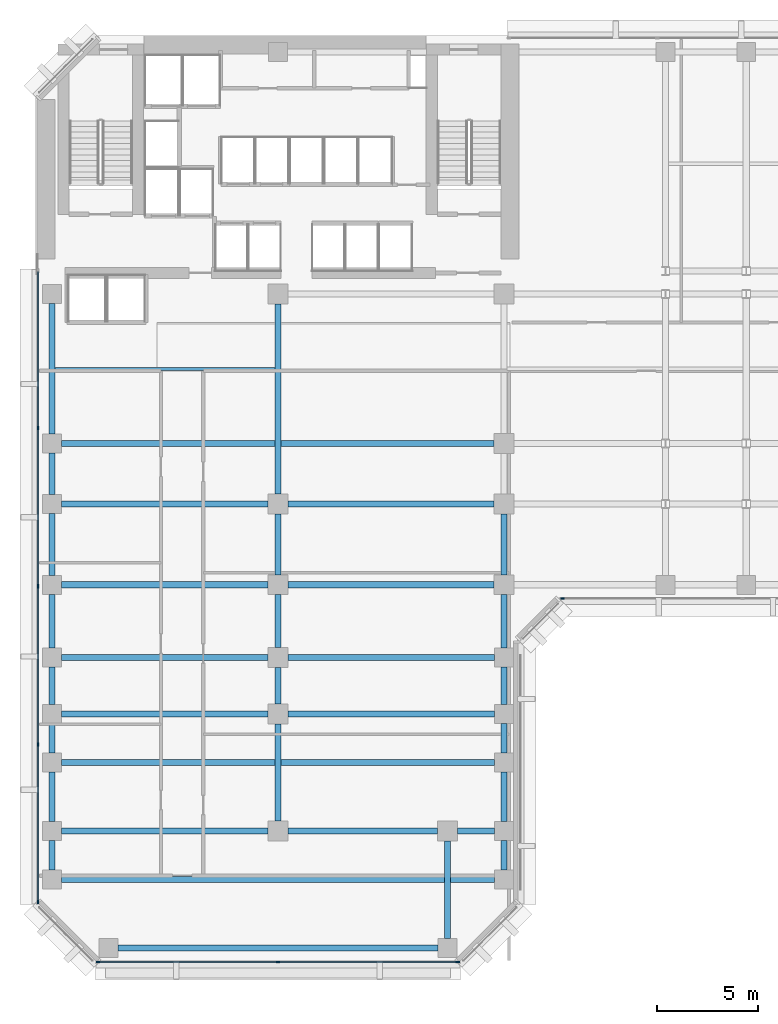
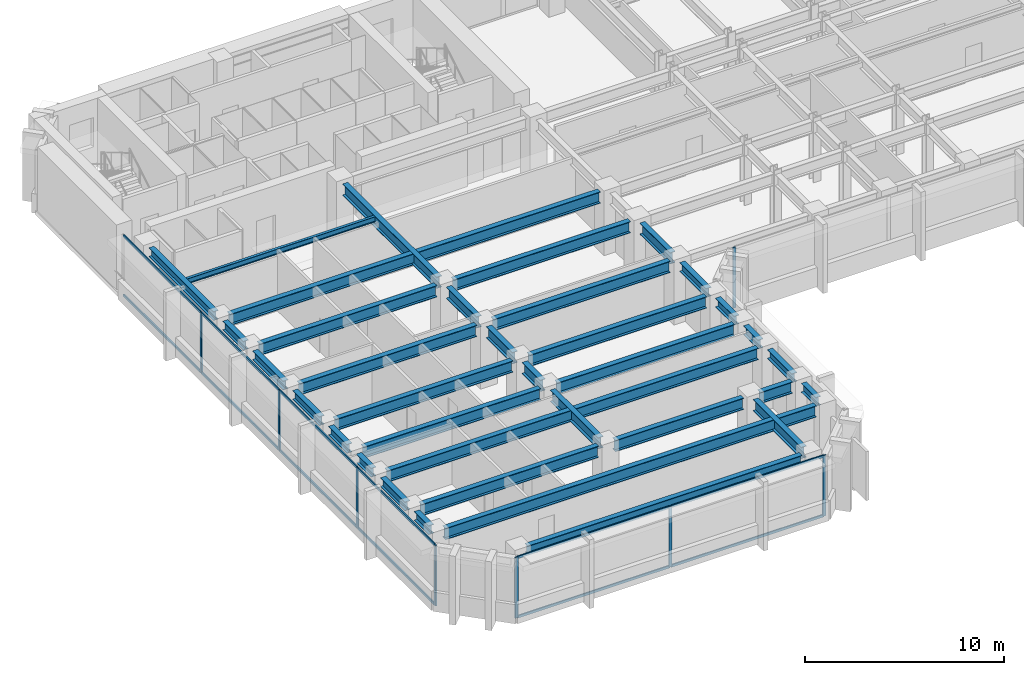
# One storey, part 2 of 13: 36 beams, 20 members, 3 elements without a shape of their own.
"""IFC4 building model written with IfcOpenShell, lengths in metres."""

from ifc_helpers import new_model, si_unit, direction, frame, origin, origin_2d, place, context, subcontext, project, spatial, rectangle, i_section, extrude, material, layer, layer_set, material_profile, profile_set, type_object, element, aggregate, save


model = new_model("IFC4")

# Units and contexts
model_context = context("Model", 3, precision=1e-05, world=origin(), true_north=direction((0.0, 1.0)))
body_context = subcontext(model_context, "Body", "Model", "MODEL_VIEW")
ifc_project = project(units=[si_unit("LENGTHUNIT", "METRE"), si_unit("AREAUNIT", "SQUARE_METRE"), si_unit("VOLUMEUNIT", "CUBIC_METRE"), si_unit("PLANEANGLEUNIT", "RADIAN"), si_unit("MASSUNIT", "GRAM", prefix="KILO")], contexts=[model_context])

# Site, building, storey
site_placement = place(None, origin())
site = spatial("IfcSite", under=ifc_project, at=site_placement, CompositionType="ELEMENT")
building_placement = place(site_placement, origin())
building = spatial("IfcBuilding", under=site, at=building_placement, Name="Kefirva Bronze Tower", CompositionType="ELEMENT")
storey_placement = place(building_placement, frame((0.0, 0.0, 98.669921875)))
storey = spatial("IfcBuildingStorey", under=building, at=storey_placement, Name="L23", CompositionType="ELEMENT", Elevation=98.669921875)

# Curtain wall, members
ifc_material_1 = material(Name="Bronze anodised aluminium", Category="aluminium")
ifc_layer = layer(ifc_material_1, 0.199951171875, Name="Bronze anodised aluminium")
ifc_layer_set = layer_set([ifc_layer], Name="Bronze anodised aluminium")
curtain_wall_type = type_object("IfcCurtainWallType", Name="Unitised Bronze Ribbon Curtain Wall Zone 1", PredefinedType="USERDEFINED", material=ifc_layer_set)
curtain_wall_1_placement = place(storey_placement, origin())
curtain_wall_1 = element("IfcCurtainWall", 1, at=curtain_wall_1_placement, inside=storey, type_object=curtain_wall_type, Name="L23 Curtain Wall 1", ObjectType="UNITISED CURTAIN WALL", PredefinedType="USERDEFINED")
ifc_material_profile_1 = material_profile(ifc_material_1, rectangle(XDim=0.074951171875, YDim=0.179931640625, at=origin_2d()), Name="ALU 75x180")
ifc_profile_set_1 = profile_set([ifc_material_profile_1], Name="Bronze anodised aluminium")
member_type_1 = type_object("IfcMemberType", Name="Bronze Mullion 75x180", PredefinedType="MULLION", material=ifc_profile_set_1)
member_1_placement = place(storey_placement, frame((3.092529296875, 0.1201171875, 0.0), z_axis=(0.0, 0.0, 1.0), x_axis=(0.0, 1.0, 0.0)))
member_1 = element("IfcMember", 2, at=member_1_placement, type_object=member_type_1, Name="CW-01 mullion 1", PredefinedType="MULLION", context=body_context, shape_type="SweptSolid", body=[
    extrude(rectangle(XDim=0.074951171875, YDim=0.179931640625, at=origin_2d()), origin(), (0.0, 0.0, 1.0), 3.7099609375),
])
member_2_placement = place(storey_placement, frame((12.0, 0.1201171875, 0.0), z_axis=(0.0, 0.0, 1.0), x_axis=(0.0, 1.0, 0.0)))
member_2 = element("IfcMember", 3, at=member_2_placement, type_object=member_type_1, Name="CW-01 mullion 2", PredefinedType="MULLION", context=body_context, shape_type="SweptSolid", body=[
    extrude(rectangle(XDim=0.074951171875, YDim=0.179931640625, at=origin_2d()), origin(), (0.0, 0.0, 1.0), 3.7099609375),
])
member_3_placement = place(storey_placement, frame((20.907470703125, 0.1201171875, 0.0), z_axis=(0.0, 0.0, 1.0), x_axis=(0.0, 1.0, 0.0)))
member_3 = element("IfcMember", 4, at=member_3_placement, type_object=member_type_1, Name="CW-01 mullion 3", PredefinedType="MULLION", context=body_context, shape_type="SweptSolid", body=[
    extrude(rectangle(XDim=0.074951171875, YDim=0.179931640625, at=origin_2d()), origin(), (0.0, 0.0, 1.0), 3.7099609375),
])

# Curtain wall, member
curtain_wall_2_placement = place(storey_placement, origin())
curtain_wall_2 = element("IfcCurtainWall", 5, at=curtain_wall_2_placement, inside=storey, type_object=curtain_wall_type, Name="L23 Curtain Wall 2", ObjectType="UNITISED CURTAIN WALL", PredefinedType="USERDEFINED")
member_4_placement = place(storey_placement, frame((26.092529296875, 18.1201171875, 0.0), z_axis=(0.0, 0.0, 1.0), x_axis=(0.0, 1.0, 0.0)))
member_4 = element("IfcMember", 6, at=member_4_placement, type_object=member_type_1, Name="CW-01 mullion 1", PredefinedType="MULLION", context=body_context, shape_type="SweptSolid", body=[
    extrude(rectangle(XDim=0.074951171875, YDim=0.179931640625, at=origin_2d()), origin(), (0.0, 0.0, 1.0), 3.7099609375),
])
aggregate(curtain_wall_2, [member_4])

# Curtain wall, members
curtain_wall_3_placement = place(storey_placement, origin())
curtain_wall_3 = element("IfcCurtainWall", 7, at=curtain_wall_3_placement, inside=storey, type_object=curtain_wall_type, Name="L23 Curtain Wall 5", ObjectType="UNITISED CURTAIN WALL", PredefinedType="USERDEFINED")
member_5_placement = place(storey_placement, frame((0.1201171875, 26.56005859375, 0.0), z_axis=(0.0, 0.0, 1.0), x_axis=(1.0, 0.0, 0.0)))
member_5 = element("IfcMember", 8, at=member_5_placement, type_object=member_type_1, Name="CW-01 mullion 2", PredefinedType="MULLION", context=body_context, shape_type="SweptSolid", body=[
    extrude(rectangle(XDim=0.074951171875, YDim=0.179931640625, at=origin_2d()), origin(), (0.0, 0.0, 1.0), 3.7099609375),
])
member_6_placement = place(storey_placement, frame((0.1201171875, 18.72509765625, 0.0), z_axis=(0.0, 0.0, 1.0), x_axis=(1.0, 0.0, 0.0)))
member_6 = element("IfcMember", 9, at=member_6_placement, type_object=member_type_1, Name="CW-01 mullion 3", PredefinedType="MULLION", context=body_context, shape_type="SweptSolid", body=[
    extrude(rectangle(XDim=0.074951171875, YDim=0.179931640625, at=origin_2d()), origin(), (0.0, 0.0, 1.0), 3.7099609375),
])
member_7_placement = place(storey_placement, frame((0.1201171875, 10.889892578125, 0.0), z_axis=(0.0, 0.0, 1.0), x_axis=(1.0, 0.0, 0.0)))
member_7 = element("IfcMember", 10, at=member_7_placement, type_object=member_type_1, Name="CW-01 mullion 4", PredefinedType="MULLION", context=body_context, shape_type="SweptSolid", body=[
    extrude(rectangle(XDim=0.074951171875, YDim=0.179931640625, at=origin_2d()), origin(), (0.0, 0.0, 1.0), 3.7099609375),
])
member_8_placement = place(storey_placement, frame((0.1201171875, 3.092529296875, 0.0), z_axis=(0.0, 0.0, 1.0), x_axis=(1.0, 0.0, 0.0)))
member_8 = element("IfcMember", 11, at=member_8_placement, type_object=member_type_1, Name="CW-01 mullion 5", PredefinedType="MULLION", context=body_context, shape_type="SweptSolid", body=[
    extrude(rectangle(XDim=0.074951171875, YDim=0.179931640625, at=origin_2d()), origin(), (0.0, 0.0, 1.0), 3.7099609375),
])

# Member
ifc_material_profile_2 = material_profile(ifc_material_1, rectangle(XDim=0.074951171875, YDim=0.14990234375, at=origin_2d()), Name="ALU 75x150")
ifc_profile_set_2 = profile_set([ifc_material_profile_2], Name="Bronze anodised aluminium")
member_type_2 = type_object("IfcMemberType", Name="Bronze Transom 75x150", PredefinedType="USERDEFINED", material=ifc_profile_set_2)
member_9_placement = place(storey_placement, frame((3.1298828125, 0.1201171875, 0.03759765625), z_axis=(1.0, 0.0, 0.0), x_axis=(0.0, 1.0, 0.0)))
member_9 = element("IfcMember", 12, at=member_9_placement, type_object=member_type_2, Name="CW-01 transom 1.1", ObjectType="TRANSOM", PredefinedType="USERDEFINED", context=body_context, shape_type="SweptSolid", body=[
    extrude(rectangle(XDim=0.074951171875, YDim=0.14990234375, at=origin_2d()), origin(), (0.0, 0.0, 1.0), 8.83251953125),
])

member_10_placement = place(storey_placement, frame((3.1298828125, 0.1201171875, 3.672607421875), z_axis=(1.0, 0.0, 0.0), x_axis=(0.0, 1.0, 0.0)))
member_10 = element("IfcMember", 13, at=member_10_placement, type_object=member_type_2, Name="CW-01 transom 1.2", ObjectType="TRANSOM", PredefinedType="USERDEFINED", context=body_context, shape_type="SweptSolid", body=[
    extrude(rectangle(XDim=0.074951171875, YDim=0.14990234375, at=origin_2d()), origin(), (0.0, 0.0, 1.0), 8.83251953125),
])

member_11_placement = place(storey_placement, frame((12.03759765625, 0.1201171875, 0.03759765625), z_axis=(1.0, 0.0, 0.0), x_axis=(0.0, 1.0, 0.0)))
member_11 = element("IfcMember", 14, at=member_11_placement, type_object=member_type_2, Name="CW-01 transom 2.1", ObjectType="TRANSOM", PredefinedType="USERDEFINED", context=body_context, shape_type="SweptSolid", body=[
    extrude(rectangle(XDim=0.074951171875, YDim=0.14990234375, at=origin_2d()), origin(), (0.0, 0.0, 1.0), 8.83251953125),
])

member_12_placement = place(storey_placement, frame((12.03759765625, 0.1201171875, 3.672607421875), z_axis=(1.0, 0.0, 0.0), x_axis=(0.0, 1.0, 0.0)))
member_12 = element("IfcMember", 15, at=member_12_placement, type_object=member_type_2, Name="CW-01 transom 2.2", ObjectType="TRANSOM", PredefinedType="USERDEFINED", context=body_context, shape_type="SweptSolid", body=[
    extrude(rectangle(XDim=0.074951171875, YDim=0.14990234375, at=origin_2d()), origin(), (0.0, 0.0, 1.0), 8.83251953125),
])

aggregate(curtain_wall_1, [member_1, member_2, member_3, member_9, member_10, member_11, member_12])

member_13_placement = place(storey_placement, frame((0.1201171875, 34.320068359375, 0.03759765625), z_axis=(0.0, -1.0, 0.0), x_axis=(1.0, 0.0, 0.0)))
member_13 = element("IfcMember", 16, at=member_13_placement, type_object=member_type_2, Name="CW-01 transom 1.1", ObjectType="TRANSOM", PredefinedType="USERDEFINED", context=body_context, shape_type="SweptSolid", body=[
    extrude(rectangle(XDim=0.074951171875, YDim=0.14990234375, at=origin_2d()), origin(), (0.0, 0.0, 1.0), 7.72265625),
])

member_14_placement = place(storey_placement, frame((0.1201171875, 34.320068359375, 3.672607421875), z_axis=(0.0, -1.0, 0.0), x_axis=(1.0, 0.0, 0.0)))
member_14 = element("IfcMember", 17, at=member_14_placement, type_object=member_type_2, Name="CW-01 transom 1.2", ObjectType="TRANSOM", PredefinedType="USERDEFINED", context=body_context, shape_type="SweptSolid", body=[
    extrude(rectangle(XDim=0.074951171875, YDim=0.14990234375, at=origin_2d()), origin(), (0.0, 0.0, 1.0), 7.72265625),
])

member_15_placement = place(storey_placement, frame((0.1201171875, 26.5224609375, 0.03759765625), z_axis=(0.0, -1.0, 0.0), x_axis=(1.0, 0.0, 0.0)))
member_15 = element("IfcMember", 18, at=member_15_placement, type_object=member_type_2, Name="CW-01 transom 2.1", ObjectType="TRANSOM", PredefinedType="USERDEFINED", context=body_context, shape_type="SweptSolid", body=[
    extrude(rectangle(XDim=0.074951171875, YDim=0.14990234375, at=origin_2d()), origin(), (0.0, 0.0, 1.0), 7.760009765625),
])

member_16_placement = place(storey_placement, frame((0.1201171875, 26.5224609375, 3.672607421875), z_axis=(0.0, -1.0, 0.0), x_axis=(1.0, 0.0, 0.0)))
member_16 = element("IfcMember", 19, at=member_16_placement, type_object=member_type_2, Name="CW-01 transom 2.2", ObjectType="TRANSOM", PredefinedType="USERDEFINED", context=body_context, shape_type="SweptSolid", body=[
    extrude(rectangle(XDim=0.074951171875, YDim=0.14990234375, at=origin_2d()), origin(), (0.0, 0.0, 1.0), 7.760009765625),
])

member_17_placement = place(storey_placement, frame((0.1201171875, 18.6875, 0.03759765625), z_axis=(0.0, -1.0, 0.0), x_axis=(1.0, 0.0, 0.0)))
member_17 = element("IfcMember", 20, at=member_17_placement, type_object=member_type_2, Name="CW-01 transom 3.1", ObjectType="TRANSOM", PredefinedType="USERDEFINED", context=body_context, shape_type="SweptSolid", body=[
    extrude(rectangle(XDim=0.074951171875, YDim=0.14990234375, at=origin_2d()), origin(), (0.0, 0.0, 1.0), 7.760009765625),
])

member_18_placement = place(storey_placement, frame((0.1201171875, 18.6875, 3.672607421875), z_axis=(0.0, -1.0, 0.0), x_axis=(1.0, 0.0, 0.0)))
member_18 = element("IfcMember", 21, at=member_18_placement, type_object=member_type_2, Name="CW-01 transom 3.2", ObjectType="TRANSOM", PredefinedType="USERDEFINED", context=body_context, shape_type="SweptSolid", body=[
    extrude(rectangle(XDim=0.074951171875, YDim=0.14990234375, at=origin_2d()), origin(), (0.0, 0.0, 1.0), 7.760009765625),
])

member_19_placement = place(storey_placement, frame((0.1201171875, 10.8525390625, 0.03759765625), z_axis=(0.0, -1.0, 0.0), x_axis=(1.0, 0.0, 0.0)))
member_19 = element("IfcMember", 22, at=member_19_placement, type_object=member_type_2, Name="CW-01 transom 4.1", ObjectType="TRANSOM", PredefinedType="USERDEFINED", context=body_context, shape_type="SweptSolid", body=[
    extrude(rectangle(XDim=0.074951171875, YDim=0.14990234375, at=origin_2d()), origin(), (0.0, 0.0, 1.0), 7.72265625),
])

member_20_placement = place(storey_placement, frame((0.1201171875, 10.8525390625, 3.672607421875), z_axis=(0.0, -1.0, 0.0), x_axis=(1.0, 0.0, 0.0)))
member_20 = element("IfcMember", 23, at=member_20_placement, type_object=member_type_2, Name="CW-01 transom 4.2", ObjectType="TRANSOM", PredefinedType="USERDEFINED", context=body_context, shape_type="SweptSolid", body=[
    extrude(rectangle(XDim=0.074951171875, YDim=0.14990234375, at=origin_2d()), origin(), (0.0, 0.0, 1.0), 7.72265625),
])

aggregate(curtain_wall_3, [member_5, member_6, member_7, member_8, member_13, member_14, member_15, member_16, member_17, member_18, member_19, member_20])

# Beams
ifc_material_2 = material(Name="Steel S355", Category="steel")
ifc_material_profile_3 = material_profile(ifc_material_2, i_section(OverallWidth=0.159912109375, OverallDepth=0.330078125, WebThickness=0.007568359375, FlangeThickness=0.011474609375, at=origin_2d()), Name="IPE 330")
ifc_profile_set_3 = profile_set([ifc_material_profile_3], Name="Steel S355")
beam_type_1 = type_object("IfcBeamType", Name="Steel Floor Joist IPE 330", PredefinedType="JOIST", material=ifc_profile_set_3)
beam_1_placement = place(storey_placement, frame((0.949951171875, 29.489990234375, 3.545166015625), z_axis=(1.0, 0.0, 0.0), x_axis=(0.0, 1.0, 0.0)))
element("IfcBeam", 24, at=beam_1_placement, inside=storey, type_object=beam_type_1, Name="L23 JST-L23-0-294", PredefinedType="JOIST", context=body_context, shape_type="SweptSolid", body=[
    extrude(i_section(OverallWidth=0.159912109375, OverallDepth=0.330078125, WebThickness=0.007568359375, FlangeThickness=0.011474609375, at=origin_2d()), origin(), (0.0, 0.0, 1.0), 10.900146484375),
])
ifc_material_profile_4 = material_profile(ifc_material_2, i_section(OverallWidth=0.300048828125, OverallDepth=0.699951171875, WebThickness=0.01708984375, FlangeThickness=0.031982421875, at=origin_2d()), Name="HEB 700")
ifc_profile_set_4 = profile_set([ifc_material_profile_4], Name="Steel S355")
beam_type_2 = type_object("IfcBeamType", Name="Steel Girder HEB 700", PredefinedType="USERDEFINED", material=ifc_profile_set_4)
beam_2_placement = place(storey_placement, frame((1.27001953125, 4.199951171875, 3.360107421875), z_axis=(1.0, 0.0, 0.0), x_axis=(0.0, 1.0, 0.0)))
element("IfcBeam", 25, at=beam_2_placement, inside=storey, type_object=beam_type_2, Name="L23 BM-L23-EW-0-42", ObjectType="GIRDER", PredefinedType="USERDEFINED", context=body_context, shape_type="SweptSolid", body=[
    extrude(i_section(OverallWidth=0.300048828125, OverallDepth=0.699951171875, WebThickness=0.01708984375, FlangeThickness=0.031982421875, at=origin_2d()), origin(), (0.0, 0.0, 1.0), 21.4599609375),
])
beam_3_placement = place(storey_placement, frame((1.27001953125, 6.60009765625, 3.360107421875), z_axis=(1.0, 0.0, 0.0), x_axis=(0.0, 1.0, 0.0)))
element("IfcBeam", 26, at=beam_3_placement, inside=storey, type_object=beam_type_2, Name="L23 BM-L23-EW-0-66", ObjectType="GIRDER", PredefinedType="USERDEFINED", context=body_context, shape_type="SweptSolid", body=[
    extrude(i_section(OverallWidth=0.300048828125, OverallDepth=0.699951171875, WebThickness=0.01708984375, FlangeThickness=0.031982421875, at=origin_2d()), origin(), (0.0, 0.0, 1.0), 10.239990234375),
])
beam_4_placement = place(storey_placement, frame((12.489990234375, 6.60009765625, 3.360107421875), z_axis=(1.0, 0.0, 0.0), x_axis=(0.0, 1.0, 0.0)))
element("IfcBeam", 27, at=beam_4_placement, inside=storey, type_object=beam_type_2, Name="L23 BM-L23-EW-12-66", ObjectType="GIRDER", PredefinedType="USERDEFINED", context=body_context, shape_type="SweptSolid", body=[
    extrude(i_section(OverallWidth=0.300048828125, OverallDepth=0.699951171875, WebThickness=0.01708984375, FlangeThickness=0.031982421875, at=origin_2d()), origin(), (0.0, 0.0, 1.0), 7.419921875),
])
beam_5_placement = place(storey_placement, frame((20.889892578125, 6.60009765625, 3.360107421875), z_axis=(1.0, 0.0, 0.0), x_axis=(0.0, 1.0, 0.0)))
element("IfcBeam", 28, at=beam_5_placement, inside=storey, type_object=beam_type_2, Name="L23 BM-L23-EW-20-66", ObjectType="GIRDER", PredefinedType="USERDEFINED", context=body_context, shape_type="SweptSolid", body=[
    extrude(i_section(OverallWidth=0.300048828125, OverallDepth=0.699951171875, WebThickness=0.01708984375, FlangeThickness=0.031982421875, at=origin_2d()), origin(), (0.0, 0.0, 1.0), 1.840087890625),
])
beam_6_placement = place(storey_placement, frame((1.27001953125, 10.0, 3.360107421875), z_axis=(1.0, 0.0, 0.0), x_axis=(0.0, 1.0, 0.0)))
element("IfcBeam", 29, at=beam_6_placement, inside=storey, type_object=beam_type_2, Name="L23 BM-L23-EW-0-100", ObjectType="GIRDER", PredefinedType="USERDEFINED", context=body_context, shape_type="SweptSolid", body=[
    extrude(i_section(OverallWidth=0.300048828125, OverallDepth=0.699951171875, WebThickness=0.01708984375, FlangeThickness=0.031982421875, at=origin_2d()), origin(), (0.0, 0.0, 1.0), 21.4599609375),
])
for number, where, z_axis, x_axis, name in (
    (30, (1.27001953125, 12.39990234375, 3.360107421875), (1.0, 0.0, 0.0), (0.0, 1.0, 0.0), "L23 BM-L23-EW-0-124"),
    (31, (12.489990234375, 12.39990234375, 3.360107421875), (1.0, 0.0, 0.0), (0.0, 1.0, 0.0), "L23 BM-L23-EW-12-124"),
    (32, (1.27001953125, 15.199951171875, 3.360107421875), (1.0, 0.0, 0.0), (0.0, 1.0, 0.0), "L23 BM-L23-EW-0-152"),
    (33, (12.489990234375, 15.199951171875, 3.360107421875), (1.0, 0.0, 0.0), (0.0, 1.0, 0.0), "L23 BM-L23-EW-12-152"),
    (34, (1.27001953125, 18.800048828125, 3.360107421875), (1.0, 0.0, 0.0), (0.0, 1.0, 0.0), "L23 BM-L23-EW-0-188"),
):
    element("IfcBeam", number, at=place(storey_placement, frame(where, z_axis=z_axis, x_axis=x_axis)), inside=storey, type_object=beam_type_2, Name=name, ObjectType="GIRDER", PredefinedType="USERDEFINED", context=body_context, shape_type="SweptSolid", body=[
        extrude(i_section(OverallWidth=0.300048828125, OverallDepth=0.699951171875, WebThickness=0.01708984375, FlangeThickness=0.031982421875, at=origin_2d()), origin(), (0.0, 0.0, 1.0), 10.239990234375),
    ])
beam_7_placement = place(storey_placement, frame((12.489990234375, 18.800048828125, 3.360107421875), z_axis=(1.0, 0.0, 0.0), x_axis=(0.0, 1.0, 0.0)))
element("IfcBeam", 35, at=beam_7_placement, inside=storey, type_object=beam_type_2, Name="L23 BM-L23-EW-12-188", ObjectType="GIRDER", PredefinedType="USERDEFINED", context=body_context, shape_type="SweptSolid", body=[
    extrude(i_section(OverallWidth=0.300048828125, OverallDepth=0.699951171875, WebThickness=0.01708984375, FlangeThickness=0.031982421875, at=origin_2d()), origin(), (0.0, 0.0, 1.0), 10.219970703125),
])
beam_8_placement = place(storey_placement, frame((1.27001953125, 22.800048828125, 3.360107421875), z_axis=(1.0, 0.0, 0.0), x_axis=(0.0, 1.0, 0.0)))
element("IfcBeam", 36, at=beam_8_placement, inside=storey, type_object=beam_type_2, Name="L23 BM-L23-EW-0-228", ObjectType="GIRDER", PredefinedType="USERDEFINED", context=body_context, shape_type="SweptSolid", body=[
    extrude(i_section(OverallWidth=0.300048828125, OverallDepth=0.699951171875, WebThickness=0.01708984375, FlangeThickness=0.031982421875, at=origin_2d()), origin(), (0.0, 0.0, 1.0), 10.239990234375),
])
beam_9_placement = place(storey_placement, frame((12.489990234375, 22.800048828125, 3.360107421875), z_axis=(1.0, 0.0, 0.0), x_axis=(0.0, 1.0, 0.0)))
element("IfcBeam", 37, at=beam_9_placement, inside=storey, type_object=beam_type_2, Name="L23 BM-L23-EW-12-228", ObjectType="GIRDER", PredefinedType="USERDEFINED", context=body_context, shape_type="SweptSolid", body=[
    extrude(i_section(OverallWidth=0.300048828125, OverallDepth=0.699951171875, WebThickness=0.01708984375, FlangeThickness=0.031982421875, at=origin_2d()), origin(), (0.0, 0.0, 1.0), 10.219970703125),
])
beam_10_placement = place(storey_placement, frame((1.27001953125, 25.800048828125, 3.360107421875), z_axis=(1.0, 0.0, 0.0), x_axis=(0.0, 1.0, 0.0)))
element("IfcBeam", 38, at=beam_10_placement, inside=storey, type_object=beam_type_2, Name="L23 BM-L23-EW-0-258", ObjectType="GIRDER", PredefinedType="USERDEFINED", context=body_context, shape_type="SweptSolid", body=[
    extrude(i_section(OverallWidth=0.300048828125, OverallDepth=0.699951171875, WebThickness=0.01708984375, FlangeThickness=0.031982421875, at=origin_2d()), origin(), (0.0, 0.0, 1.0), 21.43994140625),
])
beam_11_placement = place(storey_placement, frame((12.0, 7.090087890625, 3.360107421875), z_axis=(0.0, 1.0, 0.0), x_axis=(-1.0, 0.0, 0.0)))
element("IfcBeam", 39, at=beam_11_placement, inside=storey, type_object=beam_type_2, Name="L23 BM-L23-NS-120-6", ObjectType="GIRDER", PredefinedType="USERDEFINED", context=body_context, shape_type="SweptSolid", body=[
    extrude(i_section(OverallWidth=0.300048828125, OverallDepth=0.699951171875, WebThickness=0.01708984375, FlangeThickness=0.031982421875, at=origin_2d()), origin(), (0.0, 0.0, 1.0), 4.81982421875),
])
beam_12_placement = place(storey_placement, frame((12.0, 12.889892578125, 3.360107421875), z_axis=(0.0, 1.0, 0.0), x_axis=(-1.0, 0.0, 0.0)))
element("IfcBeam", 40, at=beam_12_placement, inside=storey, type_object=beam_type_2, Name="L23 BM-L23-NS-120-12", ObjectType="GIRDER", PredefinedType="USERDEFINED", context=body_context, shape_type="SweptSolid", body=[
    extrude(i_section(OverallWidth=0.300048828125, OverallDepth=0.699951171875, WebThickness=0.01708984375, FlangeThickness=0.031982421875, at=origin_2d()), origin(), (0.0, 0.0, 1.0), 1.820068359375),
])
beam_13_placement = place(storey_placement, frame((12.0, 15.68994140625, 3.360107421875), z_axis=(0.0, 1.0, 0.0), x_axis=(-1.0, 0.0, 0.0)))
element("IfcBeam", 41, at=beam_13_placement, inside=storey, type_object=beam_type_2, Name="L23 BM-L23-NS-120-15", ObjectType="GIRDER", PredefinedType="USERDEFINED", context=body_context, shape_type="SweptSolid", body=[
    extrude(i_section(OverallWidth=0.300048828125, OverallDepth=0.699951171875, WebThickness=0.01708984375, FlangeThickness=0.031982421875, at=origin_2d()), origin(), (0.0, 0.0, 1.0), 2.6201171875),
])
beam_14_placement = place(storey_placement, frame((12.0, 19.2900390625, 3.360107421875), z_axis=(0.0, 1.0, 0.0), x_axis=(-1.0, 0.0, 0.0)))
element("IfcBeam", 42, at=beam_14_placement, inside=storey, type_object=beam_type_2, Name="L23 BM-L23-NS-120-18", ObjectType="GIRDER", PredefinedType="USERDEFINED", context=body_context, shape_type="SweptSolid", body=[
    extrude(i_section(OverallWidth=0.300048828125, OverallDepth=0.699951171875, WebThickness=0.01708984375, FlangeThickness=0.031982421875, at=origin_2d()), origin(), (0.0, 0.0, 1.0), 3.02001953125),
])
beam_15_placement = place(storey_placement, frame((12.0, 23.2900390625, 3.360107421875), z_axis=(0.0, 1.0, 0.0), x_axis=(-1.0, 0.0, 0.0)))
element("IfcBeam", 43, at=beam_15_placement, inside=storey, type_object=beam_type_2, Name="L23 BM-L23-NS-120-22", ObjectType="GIRDER", PredefinedType="USERDEFINED", context=body_context, shape_type="SweptSolid", body=[
    extrude(i_section(OverallWidth=0.300048828125, OverallDepth=0.699951171875, WebThickness=0.01708984375, FlangeThickness=0.031982421875, at=origin_2d()), origin(), (0.0, 0.0, 1.0), 9.419921875),
])
beam_16_placement = place(storey_placement, frame((20.39990234375, 1.27001953125, 3.360107421875), z_axis=(0.0, 1.0, 0.0), x_axis=(-1.0, 0.0, 0.0)))
element("IfcBeam", 44, at=beam_16_placement, inside=storey, type_object=beam_type_2, Name="L23 BM-L23-NS-204-0", ObjectType="GIRDER", PredefinedType="USERDEFINED", context=body_context, shape_type="SweptSolid", body=[
    extrude(i_section(OverallWidth=0.300048828125, OverallDepth=0.699951171875, WebThickness=0.01708984375, FlangeThickness=0.031982421875, at=origin_2d()), origin(), (0.0, 0.0, 1.0), 4.840087890625),
])
beam_17_placement = place(storey_placement, frame((23.199951171875, 19.2900390625, 3.360107421875), z_axis=(0.0, 1.0, 0.0), x_axis=(-1.0, 0.0, 0.0)))
element("IfcBeam", 45, at=beam_17_placement, inside=storey, type_object=beam_type_2, Name="L23 BM-L23-NS-232-18", ObjectType="GIRDER", PredefinedType="USERDEFINED", context=body_context, shape_type="SweptSolid", body=[
    extrude(i_section(OverallWidth=0.300048828125, OverallDepth=0.699951171875, WebThickness=0.01708984375, FlangeThickness=0.031982421875, at=origin_2d()), origin(), (0.0, 0.0, 1.0), 3.02001953125),
])
ifc_material_profile_5 = material_profile(ifc_material_2, i_section(OverallWidth=0.300048828125, OverallDepth=0.550048828125, WebThickness=0.014892578125, FlangeThickness=0.029052734375, at=origin_2d()), Name="HEB 550")
ifc_profile_set_5 = profile_set([ifc_material_profile_5], Name="Steel S355")
beam_type_3 = type_object("IfcBeamType", Name="Steel Spandrel HEB 550 Ext", PredefinedType="SPANDREL", material=ifc_profile_set_5)
beam_18_placement = place(storey_placement, frame((4.070068359375, 0.800048828125, 3.43505859375), z_axis=(1.0, 0.0, 0.0), x_axis=(0.0, 1.0, 0.0)))
element("IfcBeam", 46, at=beam_18_placement, inside=storey, type_object=beam_type_3, Name="L23 BM-L23-EW-3-8", PredefinedType="SPANDREL", context=body_context, shape_type="SweptSolid", body=[
    extrude(i_section(OverallWidth=0.300048828125, OverallDepth=0.550048828125, WebThickness=0.014892578125, FlangeThickness=0.029052734375, at=origin_2d()), origin(), (0.0, 0.0, 1.0), 15.85986328125),
])
beam_19_placement = place(storey_placement, frame((0.800048828125, 4.669921875, 3.43505859375), z_axis=(0.0, 1.0, 0.0), x_axis=(-1.0, 0.0, 0.0)))
element("IfcBeam", 47, at=beam_19_placement, inside=storey, type_object=beam_type_3, Name="L23 BM-L23-NS-8-4", PredefinedType="SPANDREL", context=body_context, shape_type="SweptSolid", body=[
    extrude(i_section(OverallWidth=0.300048828125, OverallDepth=0.550048828125, WebThickness=0.014892578125, FlangeThickness=0.029052734375, at=origin_2d()), origin(), (0.0, 0.0, 1.0), 1.4599609375),
])
beam_20_placement = place(storey_placement, frame((0.800048828125, 7.070068359375, 3.43505859375), z_axis=(0.0, 1.0, 0.0), x_axis=(-1.0, 0.0, 0.0)))
element("IfcBeam", 48, at=beam_20_placement, inside=storey, type_object=beam_type_3, Name="L23 BM-L23-NS-8-6", PredefinedType="SPANDREL", context=body_context, shape_type="SweptSolid", body=[
    extrude(i_section(OverallWidth=0.300048828125, OverallDepth=0.550048828125, WebThickness=0.014892578125, FlangeThickness=0.029052734375, at=origin_2d()), origin(), (0.0, 0.0, 1.0), 2.4599609375),
])
beam_21_placement = place(storey_placement, frame((0.800048828125, 10.469970703125, 3.43505859375), z_axis=(0.0, 1.0, 0.0), x_axis=(-1.0, 0.0, 0.0)))
element("IfcBeam", 49, at=beam_21_placement, inside=storey, type_object=beam_type_3, Name="L23 BM-L23-NS-8-10", PredefinedType="SPANDREL", context=body_context, shape_type="SweptSolid", body=[
    extrude(i_section(OverallWidth=0.300048828125, OverallDepth=0.550048828125, WebThickness=0.014892578125, FlangeThickness=0.029052734375, at=origin_2d()), origin(), (0.0, 0.0, 1.0), 1.4599609375),
])
beam_22_placement = place(storey_placement, frame((0.800048828125, 12.8701171875, 3.43505859375), z_axis=(0.0, 1.0, 0.0), x_axis=(-1.0, 0.0, 0.0)))
element("IfcBeam", 50, at=beam_22_placement, inside=storey, type_object=beam_type_3, Name="L23 BM-L23-NS-8-12", PredefinedType="SPANDREL", context=body_context, shape_type="SweptSolid", body=[
    extrude(i_section(OverallWidth=0.300048828125, OverallDepth=0.550048828125, WebThickness=0.014892578125, FlangeThickness=0.029052734375, at=origin_2d()), origin(), (0.0, 0.0, 1.0), 1.85986328125),
])
beam_23_placement = place(storey_placement, frame((0.800048828125, 15.669921875, 3.43505859375), z_axis=(0.0, 1.0, 0.0), x_axis=(-1.0, 0.0, 0.0)))
element("IfcBeam", 51, at=beam_23_placement, inside=storey, type_object=beam_type_3, Name="L23 BM-L23-NS-8-15", PredefinedType="SPANDREL", context=body_context, shape_type="SweptSolid", body=[
    extrude(i_section(OverallWidth=0.300048828125, OverallDepth=0.550048828125, WebThickness=0.014892578125, FlangeThickness=0.029052734375, at=origin_2d()), origin(), (0.0, 0.0, 1.0), 2.66015625),
])
beam_24_placement = place(storey_placement, frame((0.800048828125, 19.27001953125, 3.43505859375), z_axis=(0.0, 1.0, 0.0), x_axis=(-1.0, 0.0, 0.0)))
element("IfcBeam", 52, at=beam_24_placement, inside=storey, type_object=beam_type_3, Name="L23 BM-L23-NS-8-18", PredefinedType="SPANDREL", context=body_context, shape_type="SweptSolid", body=[
    extrude(i_section(OverallWidth=0.300048828125, OverallDepth=0.550048828125, WebThickness=0.014892578125, FlangeThickness=0.029052734375, at=origin_2d()), origin(), (0.0, 0.0, 1.0), 3.06005859375),
])
beam_25_placement = place(storey_placement, frame((0.800048828125, 23.27001953125, 3.43505859375), z_axis=(0.0, 1.0, 0.0), x_axis=(-1.0, 0.0, 0.0)))
element("IfcBeam", 53, at=beam_25_placement, inside=storey, type_object=beam_type_3, Name="L23 BM-L23-NS-8-22", PredefinedType="SPANDREL", context=body_context, shape_type="SweptSolid", body=[
    extrude(i_section(OverallWidth=0.300048828125, OverallDepth=0.550048828125, WebThickness=0.014892578125, FlangeThickness=0.029052734375, at=origin_2d()), origin(), (0.0, 0.0, 1.0), 2.06005859375),
])
beam_26_placement = place(storey_placement, frame((0.800048828125, 26.27001953125, 3.43505859375), z_axis=(0.0, 1.0, 0.0), x_axis=(-1.0, 0.0, 0.0)))
element("IfcBeam", 54, at=beam_26_placement, inside=storey, type_object=beam_type_3, Name="L23 BM-L23-NS-8-25", PredefinedType="SPANDREL", context=body_context, shape_type="SweptSolid", body=[
    extrude(i_section(OverallWidth=0.300048828125, OverallDepth=0.550048828125, WebThickness=0.014892578125, FlangeThickness=0.029052734375, at=origin_2d()), origin(), (0.0, 0.0, 1.0), 6.4599609375),
])
beam_27_placement = place(storey_placement, frame((23.199951171875, 4.669921875, 3.43505859375), z_axis=(0.0, 1.0, 0.0), x_axis=(-1.0, 0.0, 0.0)))
element("IfcBeam", 55, at=beam_27_placement, inside=storey, type_object=beam_type_3, Name="L23 BM-L23-NS-232-4", PredefinedType="SPANDREL", context=body_context, shape_type="SweptSolid", body=[
    extrude(i_section(OverallWidth=0.300048828125, OverallDepth=0.550048828125, WebThickness=0.014892578125, FlangeThickness=0.029052734375, at=origin_2d()), origin(), (0.0, 0.0, 1.0), 1.4599609375),
])
beam_28_placement = place(storey_placement, frame((23.199951171875, 7.070068359375, 3.43505859375), z_axis=(0.0, 1.0, 0.0), x_axis=(-1.0, 0.0, 0.0)))
element("IfcBeam", 56, at=beam_28_placement, inside=storey, type_object=beam_type_3, Name="L23 BM-L23-NS-232-6", PredefinedType="SPANDREL", context=body_context, shape_type="SweptSolid", body=[
    extrude(i_section(OverallWidth=0.300048828125, OverallDepth=0.550048828125, WebThickness=0.014892578125, FlangeThickness=0.029052734375, at=origin_2d()), origin(), (0.0, 0.0, 1.0), 2.4599609375),
])
beam_29_placement = place(storey_placement, frame((23.199951171875, 10.469970703125, 3.43505859375), z_axis=(0.0, 1.0, 0.0), x_axis=(-1.0, 0.0, 0.0)))
element("IfcBeam", 57, at=beam_29_placement, inside=storey, type_object=beam_type_3, Name="L23 BM-L23-NS-232-10", PredefinedType="SPANDREL", context=body_context, shape_type="SweptSolid", body=[
    extrude(i_section(OverallWidth=0.300048828125, OverallDepth=0.550048828125, WebThickness=0.014892578125, FlangeThickness=0.029052734375, at=origin_2d()), origin(), (0.0, 0.0, 1.0), 1.4599609375),
])
beam_30_placement = place(storey_placement, frame((23.199951171875, 12.8701171875, 3.43505859375), z_axis=(0.0, 1.0, 0.0), x_axis=(-1.0, 0.0, 0.0)))
element("IfcBeam", 58, at=beam_30_placement, inside=storey, type_object=beam_type_3, Name="L23 BM-L23-NS-232-12", PredefinedType="SPANDREL", context=body_context, shape_type="SweptSolid", body=[
    extrude(i_section(OverallWidth=0.300048828125, OverallDepth=0.550048828125, WebThickness=0.014892578125, FlangeThickness=0.029052734375, at=origin_2d()), origin(), (0.0, 0.0, 1.0), 1.85986328125),
])
beam_31_placement = place(storey_placement, frame((23.199951171875, 15.669921875, 3.43505859375), z_axis=(0.0, 1.0, 0.0), x_axis=(-1.0, 0.0, 0.0)))
element("IfcBeam", 59, at=beam_31_placement, inside=storey, type_object=beam_type_3, Name="L23 BM-L23-NS-232-15", PredefinedType="SPANDREL", context=body_context, shape_type="SweptSolid", body=[
    extrude(i_section(OverallWidth=0.300048828125, OverallDepth=0.550048828125, WebThickness=0.014892578125, FlangeThickness=0.029052734375, at=origin_2d()), origin(), (0.0, 0.0, 1.0), 2.64013671875),
])

save(model, "model.ifc")
